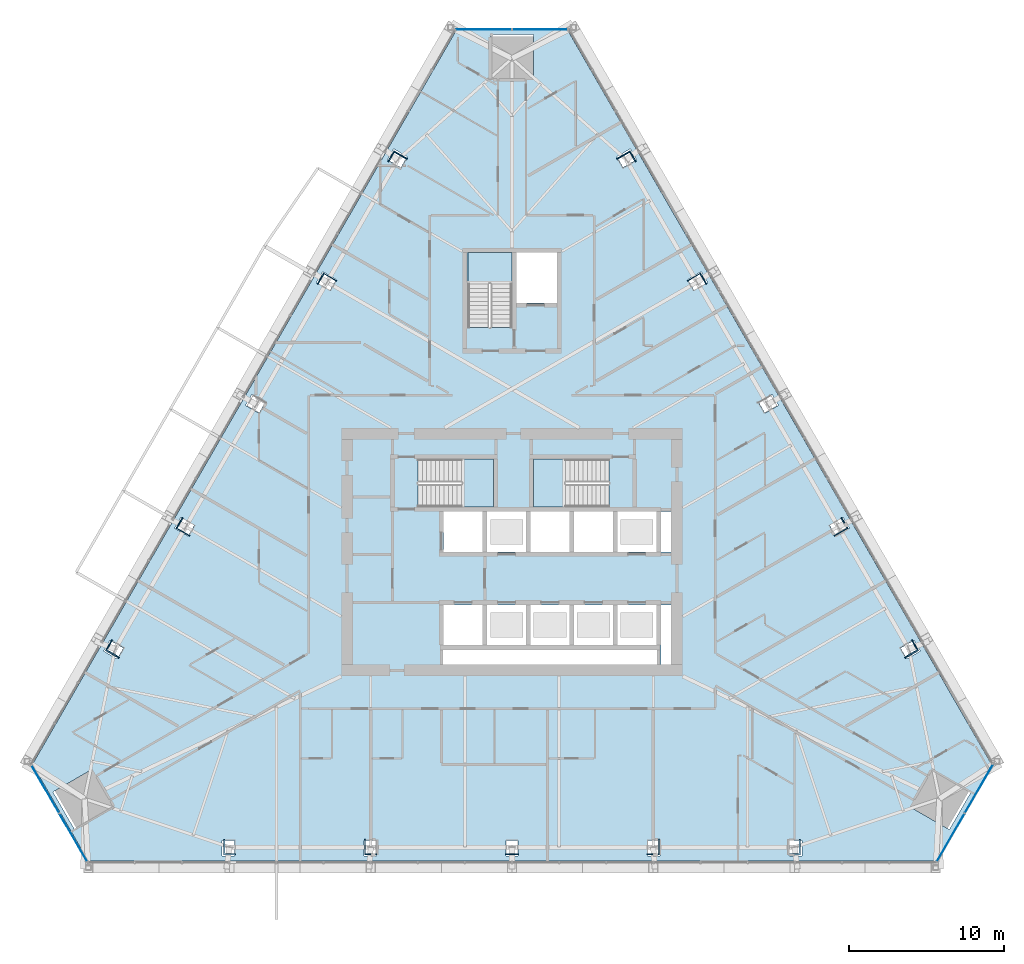
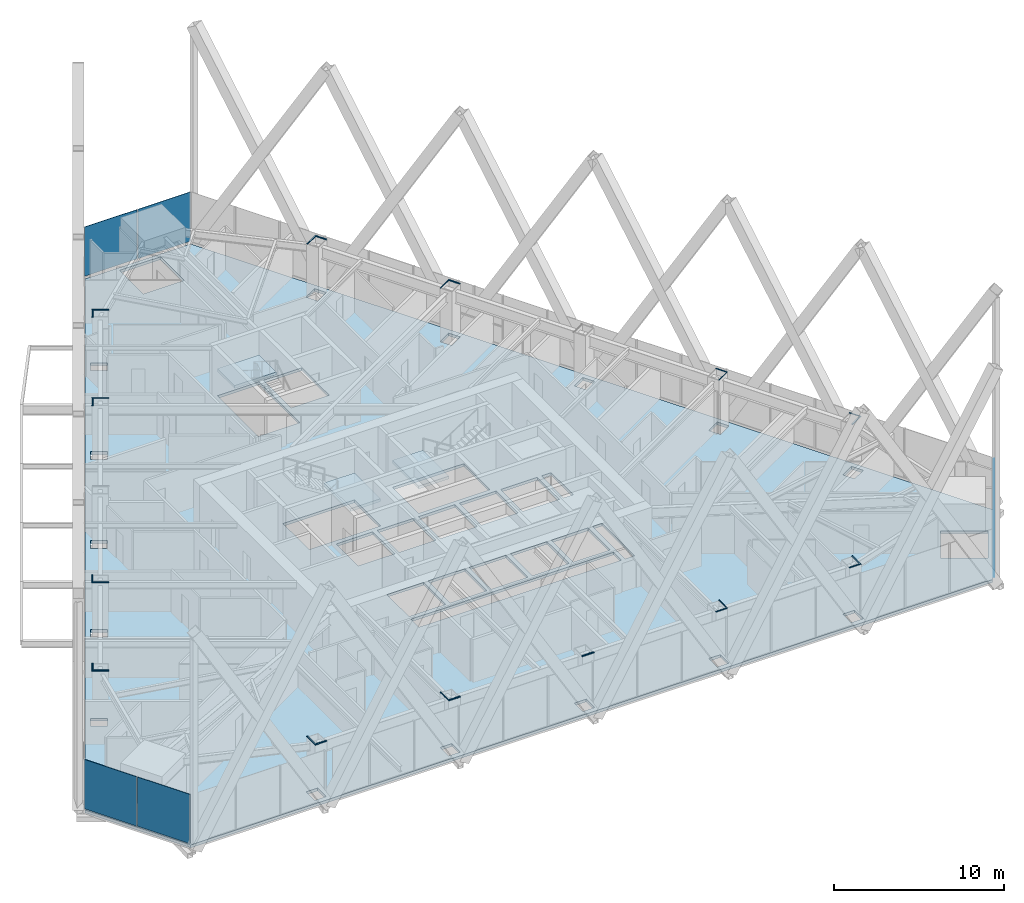
# One storey, part 13 of 26: 19 plates, 4 slabs, 6 elements without a shape of their own.
"""IFC4 building model written with IfcOpenShell, lengths in metres."""

from ifc_helpers import new_model, si_unit, direction, frame, origin, place, context, subcontext, project, spatial, polyline, outline, extrude, material, layer, layer_set, type_object, element, aggregate, save


model = new_model("IFC4")

# Units and contexts
model_context = context("Model", 3, precision=1e-05, world=origin(), true_north=direction((0.0, 1.0)))
body_context = subcontext(model_context, "Body", "Model", "MODEL_VIEW")
ifc_project = project(units=[si_unit("LENGTHUNIT", "METRE"), si_unit("AREAUNIT", "SQUARE_METRE"), si_unit("VOLUMEUNIT", "CUBIC_METRE"), si_unit("PLANEANGLEUNIT", "RADIAN"), si_unit("MASSUNIT", "GRAM", prefix="KILO")], contexts=[model_context])

# Site, building, storey
site_placement = place(None, origin())
site = spatial("IfcSite", under=ifc_project, at=site_placement, CompositionType="ELEMENT")
building_placement = place(site_placement, origin())
building = spatial("IfcBuilding", under=site, at=building_placement, Name="Firuza Gate Tower and Library", CompositionType="ELEMENT")
storey_placement = place(building_placement, frame((0.0, 0.0, 155.800048828125)))
storey = spatial("IfcBuildingStorey", under=building, at=storey_placement, Name="L35", CompositionType="ELEMENT", Elevation=155.800048828125)

# Plates
ifc_material_1 = material(Name="Steel S355", Category="steel")
ifc_layer_1 = layer(ifc_material_1, 0.030029296875)
ifc_layer_set_1 = layer_set([ifc_layer_1], Name="Column infill plate 30 Steel S355")
plate_type_1 = type_object("IfcPlateType", Name="Column infill plate 30 Steel S355", PredefinedType="SHEET", material=ifc_layer_set_1)
placement_1 = place(storey_placement, frame((0.0, 0.0, 3.89990234375)))
element("IfcPlate", 1, at=placement_1, inside=storey, type_object=plate_type_1, Name="Infill plate L35:S1", PredefinedType="SHEET", context=body_context, shape_type="SweptSolid", body=[
    extrude(outline(polyline([(57.199951171875, 55.4814453125), (57.199951171875, 55.56103515625), (56.491943359375, 55.56103515625), (56.491943359375, 56.4814453125), (56.39990234375, 56.4814453125), (56.39990234375, 55.4814453125), (57.199951171875, 55.4814453125)])), origin(), (0.0, 0.0, 1.0), 0.030029296875),
])
element("IfcPlate", 2, at=placement_1, inside=storey, type_object=plate_type_1, Name="Infill plate L35:S2", PredefinedType="SHEET", context=body_context, shape_type="SweptSolid", body=[
    extrude(outline(polyline([(66.300048828125, 55.4814453125), (66.300048828125, 55.56103515625), (65.546142578125, 55.56103515625), (65.546142578125, 56.4814453125), (65.5, 56.4814453125), (65.5, 55.4814453125), (66.300048828125, 55.4814453125)])), origin(), (0.0, 0.0, 1.0), 0.030029296875),
])
element("IfcPlate", 3, at=placement_1, inside=storey, type_object=plate_type_1, Name="Infill plate L35:S3", PredefinedType="SHEET", context=body_context, shape_type="SweptSolid", body=[
    extrude(outline(polyline([(75.39990234375, 55.4814453125), (75.39990234375, 55.56103515625), (74.60009765625, 55.56103515625), (74.60009765625, 55.4814453125), (75.39990234375, 55.4814453125)])), origin(), (0.0, 0.0, 1.0), 0.030029296875),
])
element("IfcPlate", 4, at=placement_1, inside=storey, type_object=plate_type_1, Name="Infill plate L35:S4", PredefinedType="SHEET", context=body_context, shape_type="SweptSolid", body=[
    extrude(outline(polyline([(84.5, 56.4814453125), (84.453857421875, 56.4814453125), (84.453857421875, 55.56103515625), (83.699951171875, 55.56103515625), (83.699951171875, 55.4814453125), (84.5, 55.4814453125), (84.5, 56.4814453125)])), origin(), (0.0, 0.0, 1.0), 0.030029296875),
])
element("IfcPlate", 5, at=placement_1, inside=storey, type_object=plate_type_1, Name="Infill plate L35:S5", PredefinedType="SHEET", context=body_context, shape_type="SweptSolid", body=[
    extrude(outline(polyline([(93.60009765625, 56.4814453125), (93.508056640625, 56.4814453125), (93.508056640625, 55.56103515625), (92.800048828125, 55.56103515625), (92.800048828125, 55.4814453125), (93.60009765625, 55.4814453125), (93.60009765625, 56.4814453125)])), origin(), (0.0, 0.0, 1.0), 0.030029296875),
])
element("IfcPlate", 6, at=placement_1, inside=storey, type_object=plate_type_1, Name="Infill plate L35:E1", PredefinedType="SHEET", context=body_context, shape_type="SweptSolid", body=[
    extrude(outline(polyline([(100.8037109375, 69.343994140625), (100.734619140625, 69.30419921875), (101.088623046875, 68.691162109375), (100.29150390625, 68.23095703125), (100.337646484375, 68.151123046875), (101.20361328125, 68.651123046875), (100.8037109375, 69.343994140625)])), origin(), (0.0, 0.0, 1.0), 0.030029296875),
])
element("IfcPlate", 7, at=placement_1, inside=storey, type_object=plate_type_1, Name="Infill plate L35:E2", PredefinedType="SHEET", context=body_context, shape_type="SweptSolid", body=[
    extrude(outline(polyline([(96.253662109375, 77.224853515625), (96.1845703125, 77.18505859375), (96.5615234375, 76.531982421875), (95.7646484375, 76.072021484375), (95.78759765625, 76.031982421875), (96.653564453125, 76.531982421875), (96.253662109375, 77.224853515625)])), origin(), (0.0, 0.0, 1.0), 0.030029296875),
])
element("IfcPlate", 8, at=placement_1, inside=storey, type_object=plate_type_1, Name="Infill plate L35:E4", PredefinedType="SHEET", context=body_context, shape_type="SweptSolid", body=[
    extrude(outline(polyline([(86.28759765625, 92.486572265625), (86.310546875, 92.44677734375), (87.107666015625, 92.90673828125), (87.484619140625, 92.25390625), (87.5537109375, 92.293701171875), (87.153564453125, 92.986572265625), (86.28759765625, 92.486572265625)])), origin(), (0.0, 0.0, 1.0), 0.030029296875),
])
element("IfcPlate", 9, at=placement_1, inside=storey, type_object=plate_type_1, Name="Infill plate L35:E5", PredefinedType="SHEET", context=body_context, shape_type="SweptSolid", body=[
    extrude(outline(polyline([(81.737548828125, 100.367431640625), (81.78369140625, 100.28759765625), (82.58056640625, 100.747802734375), (82.9345703125, 100.134765625), (83.003662109375, 100.174560546875), (82.603515625, 100.867431640625), (81.737548828125, 100.367431640625)])), origin(), (0.0, 0.0, 1.0), 0.030029296875),
])
element("IfcPlate", 10, at=placement_1, inside=storey, type_object=plate_type_1, Name="Infill plate L35:W1", PredefinedType="SHEET", context=body_context, shape_type="SweptSolid", body=[
    extrude(outline(polyline([(66.996337890625, 100.174560546875), (67.0654296875, 100.134765625), (67.41943359375, 100.747802734375), (68.21630859375, 100.28759765625), (68.262451171875, 100.367431640625), (67.396484375, 100.867431640625), (66.996337890625, 100.174560546875)])), origin(), (0.0, 0.0, 1.0), 0.030029296875),
])
element("IfcPlate", 11, at=placement_1, inside=storey, type_object=plate_type_1, Name="Infill plate L35:W2", PredefinedType="SHEET", context=body_context, shape_type="SweptSolid", body=[
    extrude(outline(polyline([(62.4462890625, 92.293701171875), (62.515380859375, 92.25390625), (62.892333984375, 92.90673828125), (63.689453125, 92.44677734375), (63.71240234375, 92.486572265625), (62.846435546875, 92.986572265625), (62.4462890625, 92.293701171875)])), origin(), (0.0, 0.0, 1.0), 0.030029296875),
])
element("IfcPlate", 12, at=placement_1, inside=storey, type_object=plate_type_1, Name="Infill plate L35:W4", PredefinedType="SHEET", context=body_context, shape_type="SweptSolid", body=[
    extrude(outline(polyline([(54.21240234375, 76.031982421875), (54.2353515625, 76.072021484375), (53.4384765625, 76.531982421875), (53.8154296875, 77.18505859375), (53.746337890625, 77.224853515625), (53.346435546875, 76.531982421875), (54.21240234375, 76.031982421875)])), origin(), (0.0, 0.0, 1.0), 0.030029296875),
])
element("IfcPlate", 13, at=placement_1, inside=storey, type_object=plate_type_1, Name="Infill plate L35:W5", PredefinedType="SHEET", context=body_context, shape_type="SweptSolid", body=[
    extrude(outline(polyline([(49.662353515625, 68.151123046875), (49.70849609375, 68.23095703125), (48.911376953125, 68.691162109375), (49.265380859375, 69.30419921875), (49.1962890625, 69.343994140625), (48.79638671875, 68.651123046875), (49.662353515625, 68.151123046875)])), origin(), (0.0, 0.0, 1.0), 0.030029296875),
])

# Slab
ifc_material_2 = material(Name="Concrete C40/50", Category="concrete")
ifc_layer_2 = layer(ifc_material_2, 0.199951171875)
ifc_layer_set_2 = layer_set([ifc_layer_2], Name="Composite floor slab 200 C40/50")
slab_type_1 = type_object("IfcSlabType", Name="Composite floor slab 200 C40/50", PredefinedType="FLOOR", material=ifc_layer_set_2)
slab_1_placement = place(storey_placement, frame((0.0, 0.0, -0.199951171875)))
element("IfcSlab", 14, at=slab_1_placement, inside=storey, type_object=slab_type_1, Name="Floor slab L35", PredefinedType="FLOOR", context=body_context, shape_type="SweptSolid", body=[
    extrude(outline(polyline([(44.10009765625, 61.31689453125), (47.699951171875, 55.081298828125), (102.300048828125, 55.081298828125), (105.89990234375, 61.31689453125), (78.60009765625, 108.601806640625), (71.39990234375, 108.601806640625), (44.10009765625, 61.31689453125)]), holes=[polyline([(56.316650390625, 55.4091796875), (56.316650390625, 56.4091796875), (57.11669921875, 56.4091796875), (57.11669921875, 55.4091796875), (56.316650390625, 55.4091796875)]), polyline([(74.60009765625, 55.4091796875), (74.60009765625, 56.4091796875), (75.39990234375, 56.4091796875), (75.39990234375, 55.4091796875), (74.60009765625, 55.4091796875)]), polyline([(65.458251953125, 55.4091796875), (65.458251953125, 56.4091796875), (66.25830078125, 56.4091796875), (66.25830078125, 55.4091796875), (65.458251953125, 55.4091796875)]), polyline([(45.42138671875, 59.539306640625), (47.84619140625, 60.939453125), (49.246337890625, 58.514404296875), (46.8212890625, 57.114501953125), (45.42138671875, 59.539306640625)]), polyline([(84.35009765625, 67.75), (70.550048828125, 67.75), (70.550048828125, 68.699951171875), (84.35009765625, 68.699951171875), (84.35009765625, 67.75)]), polyline([(49.09228515625, 69.307861328125), (49.958251953125, 68.807861328125), (49.558349609375, 68.115234375), (48.692138671875, 68.615234375), (49.09228515625, 69.307861328125)]), polyline([(73.10009765625, 69.0), (70.60009765625, 69.0), (70.60009765625, 71.60009765625), (73.10009765625, 71.60009765625), (73.10009765625, 69.0)]), polyline([(75.89990234375, 69.0), (73.39990234375, 69.0), (73.39990234375, 71.60009765625), (75.89990234375, 71.60009765625), (75.89990234375, 69.0)]), polyline([(73.10009765625, 75.0), (70.60009765625, 75.0), (70.60009765625, 77.60009765625), (73.10009765625, 77.60009765625), (73.10009765625, 75.0)]), polyline([(75.89990234375, 75.0), (73.39990234375, 75.0), (73.39990234375, 77.60009765625), (75.89990234375, 77.60009765625), (75.89990234375, 75.0)]), polyline([(53.6630859375, 77.224853515625), (54.529052734375, 76.724853515625), (54.129150390625, 76.031982421875), (53.26318359375, 76.531982421875), (53.6630859375, 77.224853515625)]), polyline([(73.81005859375, 77.89990234375), (68.9404296875, 77.89990234375), (68.9404296875, 80.97998046875), (73.81005859375, 80.97998046875), (73.81005859375, 77.89990234375)]), polyline([(58.23388671875, 85.141845703125), (59.099853515625, 84.641845703125), (58.699951171875, 83.948974609375), (57.833984375, 84.448974609375), (58.23388671875, 85.141845703125)]), polyline([(72.159912109375, 89.470458984375), (72.159912109375, 94.300048828125), (75.0, 94.300048828125), (75.0, 89.470458984375), (72.159912109375, 89.470458984375)]), polyline([(62.8046875, 93.05859375), (63.670654296875, 92.55859375), (63.270751953125, 91.865966796875), (62.40478515625, 92.365966796875), (62.8046875, 93.05859375)]), polyline([(75.300048828125, 91.050048828125), (75.300048828125, 94.300048828125), (77.89990234375, 94.300048828125), (77.89990234375, 91.050048828125), (75.300048828125, 91.050048828125)]), polyline([(68.24169921875, 100.4755859375), (67.841552734375, 99.78271484375), (66.9755859375, 100.28271484375), (67.37548828125, 100.9755859375), (68.24169921875, 100.4755859375)]), polyline([(76.39990234375, 108.34619140625), (76.39990234375, 105.546142578125), (73.60009765625, 105.546142578125), (73.60009765625, 108.34619140625), (76.39990234375, 108.34619140625)]), polyline([(92.88330078125, 55.4091796875), (92.88330078125, 56.4091796875), (93.683349609375, 56.4091796875), (93.683349609375, 55.4091796875), (92.88330078125, 55.4091796875)]), polyline([(83.74169921875, 55.4091796875), (83.74169921875, 56.4091796875), (84.541748046875, 56.4091796875), (84.541748046875, 55.4091796875), (83.74169921875, 55.4091796875)]), polyline([(103.1787109375, 57.114501953125), (100.753662109375, 58.514404296875), (102.15380859375, 60.939453125), (104.57861328125, 59.539306640625), (103.1787109375, 57.114501953125)]), polyline([(101.307861328125, 68.615234375), (100.441650390625, 68.115234375), (100.041748046875, 68.807861328125), (100.90771484375, 69.307861328125), (101.307861328125, 68.615234375)]), polyline([(85.25, 67.75), (84.60009765625, 67.75), (84.60009765625, 71.60009765625), (85.25, 71.60009765625), (85.25, 67.75)]), polyline([(81.5, 69.0), (79.0, 69.0), (79.0, 71.60009765625), (81.5, 71.60009765625), (81.5, 69.0)]), polyline([(81.800048828125, 69.0), (81.800048828125, 71.60009765625), (84.300048828125, 71.60009765625), (84.300048828125, 69.0), (81.800048828125, 69.0)]), polyline([(76.199951171875, 69.0), (76.199951171875, 71.60009765625), (78.699951171875, 71.60009765625), (78.699951171875, 69.0), (76.199951171875, 69.0)]), polyline([(81.5, 75.0), (79.0, 75.0), (79.0, 77.60009765625), (81.5, 77.60009765625), (81.5, 75.0)]), polyline([(84.300048828125, 75.0), (81.800048828125, 75.0), (81.800048828125, 77.60009765625), (84.300048828125, 77.60009765625), (84.300048828125, 75.0)]), polyline([(85.25, 75.0), (84.60009765625, 75.0), (84.60009765625, 77.60009765625), (85.25, 77.60009765625), (85.25, 75.0)]), polyline([(78.699951171875, 75.0), (76.199951171875, 75.0), (76.199951171875, 77.60009765625), (78.699951171875, 77.60009765625), (78.699951171875, 75.0)]), polyline([(96.73681640625, 76.531982421875), (95.870849609375, 76.031982421875), (95.470947265625, 76.724853515625), (96.3369140625, 77.224853515625), (96.73681640625, 76.531982421875)]), polyline([(81.259521484375, 77.89990234375), (76.389892578125, 77.89990234375), (76.389892578125, 80.97998046875), (81.259521484375, 80.97998046875), (81.259521484375, 77.89990234375)]), polyline([(92.166015625, 84.448974609375), (91.300048828125, 83.948974609375), (90.900146484375, 84.641845703125), (91.76611328125, 85.141845703125), (92.166015625, 84.448974609375)]), polyline([(86.729248046875, 91.865966796875), (86.329345703125, 92.55859375), (87.1953125, 93.05859375), (87.59521484375, 92.365966796875), (86.729248046875, 91.865966796875)]), polyline([(82.158447265625, 99.78271484375), (81.75830078125, 100.4755859375), (82.62451171875, 100.9755859375), (83.0244140625, 100.28271484375), (82.158447265625, 99.78271484375)])]), origin(), (0.0, 0.0, 1.0), 0.199951171875),
])

# Curtain wall, plates
ifc_material_3 = material(Name="Aluminium 6063-T6", Category="aluminium")
ifc_layer_3 = layer(ifc_material_3, 0.14990234375)
ifc_layer_set_3 = layer_set([ifc_layer_3], Name="Corner curtain wall, chamfers")
curtain_wall_type = type_object("IfcCurtainWallType", Name="Corner curtain wall, chamfers", PredefinedType="NOTDEFINED", material=ifc_layer_set_3)
placement_2 = place(storey_placement, origin())
curtain_wall_1 = element("IfcCurtainWall", 15, at=placement_2, inside=storey, type_object=curtain_wall_type, Name="CW4 L35 SE corner", PredefinedType="NOTDEFINED")
ifc_material_4 = material(Name="Fritted glass", Category="glass")
ifc_layer_4 = layer(ifc_material_4, 0.030029296875)
ifc_layer_set_4 = layer_set([ifc_layer_4], Name="Fritted glass unit, corners")
plate_type_2 = type_object("IfcPlateType", Name="Fritted glass unit, corners", PredefinedType="CURTAIN_PANEL", material=ifc_layer_set_4)
plate_14_placement = place(storey_placement, frame((102.376220703125, 55.033447265625, 0.14990234375), z_axis=(0.866016723041, -0.500015035186, 0.0), x_axis=(0.500015035186, 0.866016723041, 0.0)))
plate_14 = element("IfcPlate", 16, at=plate_14_placement, type_object=plate_type_2, Name="Glass unit", PredefinedType="CURTAIN_PANEL", context=body_context, shape_type="SweptSolid", body=[
    extrude(outline(polyline([(0.0, 0.0), (3.5633694106530625, 0.0), (3.5633694106530625, 3.550048828125), (0.0, 3.550048828125), (0.0, 0.0)])), origin(), (0.0, 0.0, -1.0), 0.030029296875),
])
plate_15_placement = place(storey_placement, frame((104.197998046875, 58.188720703125, 0.14990234375), z_axis=(0.866046390552, -0.49996364809, 0.0), x_axis=(0.49996364809, 0.866046390552, 0.0)))
plate_15 = element("IfcPlate", 17, at=plate_15_placement, type_object=plate_type_2, Name="Glass unit", PredefinedType="CURTAIN_PANEL", context=body_context, shape_type="SweptSolid", body=[
    extrude(outline(polyline([(0.0, 0.0), (3.563247342942594, 0.0), (3.563247342942594, 3.550048828125), (0.0, 3.550048828125), (0.0, 0.0)])), origin(), (0.0, 0.0, -1.0), 0.030029296875),
])
aggregate(curtain_wall_1, [plate_14, plate_15])

curtain_wall_2 = element("IfcCurtainWall", 18, at=placement_2, inside=storey, type_object=curtain_wall_type, Name="CW4 L35 N corner", PredefinedType="NOTDEFINED")
plate_16_placement = place(storey_placement, frame((78.603271484375, 108.69189453125, 0.14990234375), z_axis=(0.0, 1.0, 0.0), x_axis=(-1.0, 0.0, 0.0)))
plate_16 = element("IfcPlate", 19, at=plate_16_placement, type_object=plate_type_2, Name="Glass unit", PredefinedType="CURTAIN_PANEL", context=body_context, shape_type="SweptSolid", body=[
    extrude(outline(polyline([(0.0, 0.0), (3.563232421875, 0.0), (3.563232421875, 3.550048828125), (0.0, 3.550048828125), (0.0, 0.0)])), origin(), (0.0, 0.0, -1.0), 0.030029296875),
])
plate_17_placement = place(storey_placement, frame((74.9599609375, 108.69189453125, 0.14990234375), z_axis=(0.0, 1.0, 0.0), x_axis=(-1.0, 0.0, 0.0)))
plate_17 = element("IfcPlate", 20, at=plate_17_placement, type_object=plate_type_2, Name="Glass unit", PredefinedType="CURTAIN_PANEL", context=body_context, shape_type="SweptSolid", body=[
    extrude(outline(polyline([(0.0, 0.0), (3.563232421875, 0.0), (3.563232421875, 3.550048828125), (0.0, 3.550048828125), (0.0, 0.0)])), origin(), (0.0, 0.0, -1.0), 0.030029296875),
])
aggregate(curtain_wall_2, [plate_16, plate_17])

curtain_wall_3 = element("IfcCurtainWall", 21, at=placement_2, inside=storey, type_object=curtain_wall_type, Name="CW4 L35 SW corner", PredefinedType="NOTDEFINED")
plate_18_placement = place(storey_placement, frame((44.0205078125, 61.274658203125, 0.14990234375), z_axis=(-0.866046390552, -0.49996364809, 0.0), x_axis=(0.49996364809, -0.866046390552, 0.0)))
plate_18 = element("IfcPlate", 22, at=plate_18_placement, type_object=plate_type_2, Name="Glass unit", PredefinedType="CURTAIN_PANEL", context=body_context, shape_type="SweptSolid", body=[
    extrude(outline(polyline([(0.0, 0.0), (3.563247342942594, 0.0), (3.563247342942594, 3.550048828125), (0.0, 3.550048828125), (0.0, 0.0)])), origin(), (0.0, 0.0, -1.0), 0.030029296875),
])
plate_19_placement = place(storey_placement, frame((45.842041015625, 58.119384765625, 0.14990234375), z_axis=(-0.866016723041, -0.500015035186, 0.0), x_axis=(0.500015035186, -0.866016723041, 0.0)))
plate_19 = element("IfcPlate", 23, at=plate_19_placement, type_object=plate_type_2, Name="Glass unit", PredefinedType="CURTAIN_PANEL", context=body_context, shape_type="SweptSolid", body=[
    extrude(outline(polyline([(0.0, 0.0), (3.5633694106530625, 0.0), (3.5633694106530625, 3.550048828125), (0.0, 3.550048828125), (0.0, 0.0)])), origin(), (0.0, 0.0, -1.0), 0.030029296875),
])
aggregate(curtain_wall_3, [plate_18, plate_19])

# Stair, slab
ifc_material_5 = material(Name="Concrete C35/45", Category="concrete")
stair_type_1 = type_object("IfcStairType", Name="Exit stair ST7", PredefinedType="HALF_TURN_STAIR", material=ifc_material_5)
stair_1 = element("IfcStair", 24, at=placement_2, inside=storey, type_object=stair_type_1, Name="L35 Stair ST1", PredefinedType="HALF_TURN_STAIR")
ifc_material_6 = material(Name="Concrete C35/45", Category="concrete")
ifc_layer_5 = layer(ifc_material_6, 0.199951171875)
ifc_layer_set_5 = layer_set([ifc_layer_5], Name="Stair landing 200")
slab_type_2 = type_object("IfcSlabType", Name="Stair landing 200", PredefinedType="LANDING", material=ifc_layer_set_5)
placement_3 = place(storey_placement, frame((0.0, 0.0, 1.75)))
slab_2 = element("IfcSlab", 25, at=placement_3, type_object=slab_type_2, Name="ST1 landing 1", PredefinedType="LANDING", context=body_context, shape_type="SweptSolid", body=[
    extrude(outline(polyline([(71.739990234375, 77.89990234375), (73.81005859375, 77.89990234375), (73.81005859375, 80.97998046875), (71.739990234375, 80.97998046875), (71.739990234375, 77.89990234375)])), origin(), (0.0, 0.0, 1.0), 0.199951171875),
])
aggregate(stair_1, [slab_2])

stair_2 = element("IfcStair", 26, at=placement_2, inside=storey, type_object=stair_type_1, Name="L35 Stair ST2", PredefinedType="HALF_TURN_STAIR")
slab_3 = element("IfcSlab", 27, at=placement_3, type_object=slab_type_2, Name="ST2 landing 1", PredefinedType="LANDING", context=body_context, shape_type="SweptSolid", body=[
    extrude(outline(polyline([(78.4599609375, 80.97998046875), (76.389892578125, 80.97998046875), (76.389892578125, 77.89990234375), (78.4599609375, 77.89990234375), (78.4599609375, 80.97998046875)])), origin(), (0.0, 0.0, 1.0), 0.199951171875),
])
aggregate(stair_2, [slab_3])

ifc_material_7 = material(Name="Concrete C35/45", Category="concrete")
stair_type_2 = type_object("IfcStairType", Name="Exit stair ST16", PredefinedType="HALF_TURN_STAIR", material=ifc_material_7)
stair_3 = element("IfcStair", 28, at=placement_2, inside=storey, type_object=stair_type_2, Name="L35 Stair ST3", PredefinedType="HALF_TURN_STAIR")
slab_4 = element("IfcSlab", 29, at=placement_3, type_object=slab_type_2, Name="ST3 landing 1", PredefinedType="LANDING", context=body_context, shape_type="SweptSolid", body=[
    extrude(outline(polyline([(75.0, 92.27001953125), (75.0, 94.300048828125), (72.159912109375, 94.300048828125), (72.159912109375, 92.27001953125), (75.0, 92.27001953125)])), origin(), (0.0, 0.0, 1.0), 0.199951171875),
])
aggregate(stair_3, [slab_4])

save(model, "model.ifc")
